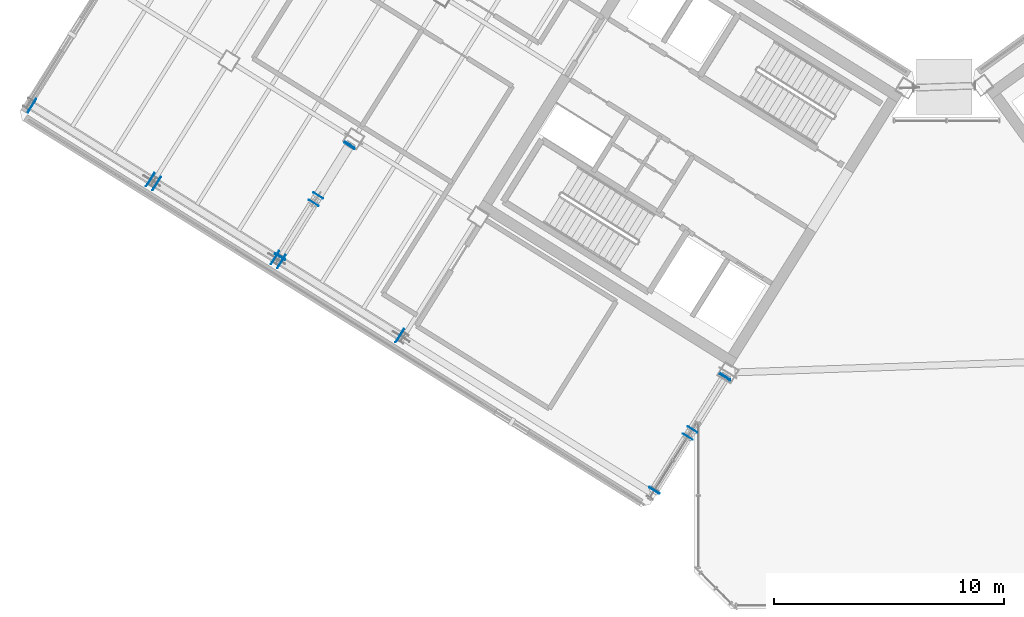
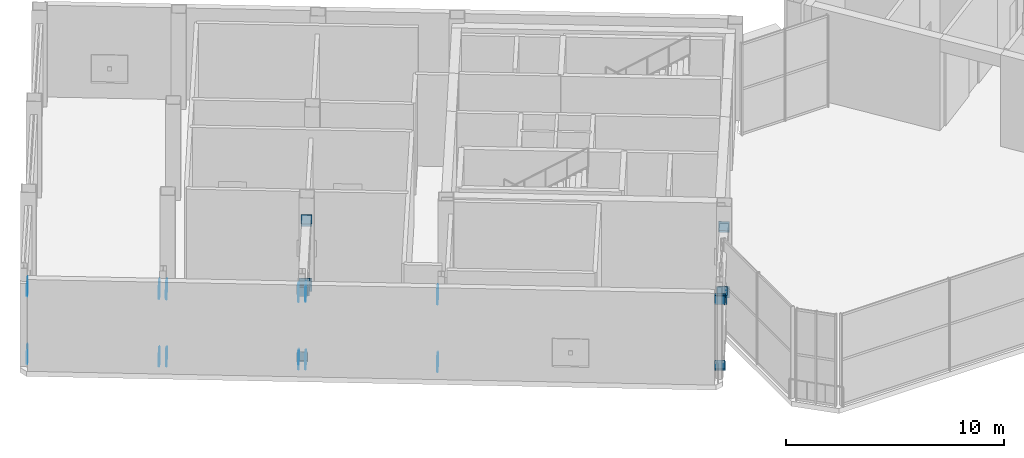
# One storey, part 18 of 32: 38 plates.
"""IFC4 building model written with IfcOpenShell, lengths in metres."""

from ifc_helpers import new_model, si_unit, direction, frame, origin, origin_2d, place, context, subcontext, project, spatial, rectangle, extrude, source, transform, mapped, material, layer, layer_set, type_object, element, save


model = new_model("IFC4")

# Units and contexts
model_context = context("Model", 3, precision=1e-05, world=origin(), true_north=direction((0.0, 1.0)))
body_context = subcontext(model_context, "Body", "Model", "MODEL_VIEW")
ifc_project = project(units=[si_unit("LENGTHUNIT", "METRE"), si_unit("AREAUNIT", "SQUARE_METRE"), si_unit("VOLUMEUNIT", "CUBIC_METRE"), si_unit("PLANEANGLEUNIT", "RADIAN"), si_unit("MASSUNIT", "GRAM", prefix="KILO")], contexts=[model_context])

# Site, building, storey
site_placement = place(None, origin())
site = spatial("IfcSite", under=ifc_project, at=site_placement, CompositionType="ELEMENT")
building_placement = place(site_placement, origin())
building = spatial("IfcBuilding", under=site, at=building_placement, Name="Tlacorven Tower", CompositionType="ELEMENT")
storey_placement = place(building_placement, frame((0.0, 0.0, 245.699951171875)))
storey = spatial("IfcBuildingStorey", under=building, at=storey_placement, Name="L62", CompositionType="ELEMENT", Elevation=245.699951171875)

# Plates
ifc_material = material(Name="Steel S460M", Category="steel")
ifc_layer_1 = layer(ifc_material, 0.02001953125)
ifc_layer_set_1 = layer_set([ifc_layer_1], Name="Steel S460M")
plate_type_1 = type_object("IfcPlateType", Name="PL-CAP-END2", PredefinedType="USERDEFINED", material=ifc_layer_set_1)
shared_shape_1 = source(origin(), body_context, "Body", "SweptSolid", [
    extrude(rectangle(XDim=0.02001953125, YDim=0.514892578125, at=origin_2d()), origin(), (0.0, 0.0, 1.0), 0.514892578125),
])
for number, where, z_axis, x_axis, name in (
    (1, (32.9189453125, 11.88330078125, 0.1923828125), (0.0, 0.0, 1.0), (-0.529919225395, -0.848048120425, 0.0), "L62 hollow end cap plate OUT-L62-W1-B 1"),
    (2, (29.84814453125, 6.968994140625, 0.1923828125), (0.0, 0.0, 1.0), (-0.529919225395, -0.848048120425, 0.0), "L62 hollow end cap plate OUT-L62-W1-B 2"),
    (3, (32.9189453125, 11.88330078125, 3.97265625), (0.0, 0.0, 1.0), (-0.529919225395, -0.848048120425, 0.0), "L62 hollow end cap plate OUT-L62-W1-T 1"),
    (4, (29.84814453125, 6.968994140625, 3.97265625), (0.0, 0.0, 1.0), (-0.529919225395, -0.848048120425, 0.0), "L62 hollow end cap plate OUT-L62-W1-T 2"),
    (5, (16.5703125, 21.951904296875, 0.1923828125), (0.0, 0.0, 1.0), (-0.52991916434, -0.848048158577, 0.0), "L62 hollow end cap plate OUT-L62-W2-B 1"),
    (6, (13.5654296875, 17.143310546875, 0.1923828125), (0.0, 0.0, 1.0), (-0.52991916434, -0.848048158577, 0.0), "L62 hollow end cap plate OUT-L62-W2-B 2"),
    (7, (16.5703125, 21.951904296875, 3.97265625), (0.0, 0.0, 1.0), (-0.52991916434, -0.848048158577, 0.0), "L62 hollow end cap plate OUT-L62-W2-T 1"),
    (8, (13.5654296875, 17.143310546875, 3.97265625), (0.0, 0.0, 1.0), (-0.52991916434, -0.848048158577, 0.0), "L62 hollow end cap plate OUT-L62-W2-T 2"),
):
    element("IfcPlate", number, at=place(storey_placement, frame(where, z_axis=z_axis, x_axis=x_axis)), inside=storey, type_object=plate_type_1, Name=name, ObjectType="END PLATE", PredefinedType="USERDEFINED", context=body_context, shape_type="MappedRepresentation", body=[
        mapped(shared_shape_1, transform((0.0, 0.0, 0.0), scale=1.0)),
    ])
shared_shape_2 = source(origin(), body_context, "Body", "SweptSolid", [
    extrude(rectangle(XDim=0.02001953125, YDim=0.49609375, at=origin_2d()), origin(), (0.0, 0.0, 1.0), 0.49609375),
])
for number, where, z_axis, x_axis, name in (
    (9, (32.9375, 11.9130859375, 0.326904296875), (0.0, 0.0, 1.0), (-0.529919279123, -0.848048086852, 0.0), "L62 hollow end cap plate OUT-L62-W1-D1 1"),
    (10, (29.835205078125, 6.948486328125, 3.89599609375), (0.0, 0.0, 1.0), (-0.529919279123, -0.848048086852, 0.0), "L62 hollow end cap plate OUT-L62-W1-D1 2"),
    (11, (32.9375, 11.9130859375, 3.857177734375), (0.0, 0.0, 1.0), (-0.529918421022, -0.848048623053, 0.0), "L62 hollow end cap plate OUT-L62-W1-D2A 1"),
    (12, (31.5029296875, 9.6171875, 2.20654296875), (0.0, 0.0, 1.0), (-0.529918421022, -0.848048623053, 0.0), "L62 hollow end cap plate OUT-L62-W1-D2A 2"),
    (13, (31.303955078125, 9.298583984375, 1.9775390625), (0.0, 0.0, 1.0), (-0.52992015207, -0.848047541374, 0.0), "L62 hollow end cap plate OUT-L62-W1-D2B 1"),
    (14, (29.835205078125, 6.948486328125, 0.287841796875), (0.0, 0.0, 1.0), (-0.52992015207, -0.848047541374, 0.0), "L62 hollow end cap plate OUT-L62-W1-D2B 2"),
    (15, (16.598388671875, 21.9970703125, 0.39208984375), (0.0, 0.0, 1.0), (-0.529919223086, -0.848048121868, 0.0), "L62 hollow end cap plate OUT-L62-W2-D1 1"),
    (16, (13.552734375, 17.122802734375, 3.89599609375), (0.0, 0.0, 1.0), (-0.529919223086, -0.848048121868, 0.0), "L62 hollow end cap plate OUT-L62-W2-D1 2"),
    (17, (16.598388671875, 21.9970703125, 3.7919921875), (0.0, 0.0, 1.0), (-0.529919921275, -0.848047685591, 0.0), "L62 hollow end cap plate OUT-L62-W2-D2A 1"),
    (18, (15.220458984375, 19.791748046875, 2.20654296875), (0.0, 0.0, 1.0), (-0.529919921275, -0.848047685591, 0.0), "L62 hollow end cap plate OUT-L62-W2-D2A 2"),
    (19, (15.021240234375, 19.47314453125, 1.9775390625), (0.0, 0.0, 1.0), (-0.52991833547, -0.848048676511, 0.0), "L62 hollow end cap plate OUT-L62-W2-D2B 1"),
    (20, (13.552734375, 17.122802734375, 0.287841796875), (0.0, 0.0, 1.0), (-0.52991833547, -0.848048676511, 0.0), "L62 hollow end cap plate OUT-L62-W2-D2B 2"),
):
    element("IfcPlate", number, at=place(storey_placement, frame(where, z_axis=z_axis, x_axis=x_axis)), inside=storey, type_object=plate_type_1, Name=name, ObjectType="END PLATE", PredefinedType="USERDEFINED", context=body_context, shape_type="MappedRepresentation", body=[
        mapped(shared_shape_2, transform((0.0, 0.0, 0.0), scale=1.0)),
    ])
ifc_layer_2 = layer(ifc_material, 0.02392578125)
ifc_layer_set_2 = layer_set([ifc_layer_2], Name="Steel S460M")
plate_type_2 = type_object("IfcPlateType", Name="PL-CAP-END1", PredefinedType="USERDEFINED", material=ifc_layer_set_2)
shared_shape_3 = source(origin(), body_context, "Body", "SweptSolid", [
    extrude(rectangle(XDim=0.02392578125, YDim=0.679931640625, at=origin_2d()), origin(), (0.0, 0.0, 1.0), 0.679931640625),
])
for number, where, z_axis, x_axis, name in (
    (21, (18.765625, 13.699462890625, 0.10986328125), (0.0, 0.0, 1.0), (-0.8480481679, 0.52991914942, 0.0), "L62 hollow end cap plate BLT-L62-W1-B 1"),
    (22, (13.617919921875, 16.916015625, 0.10986328125), (0.0, 0.0, 1.0), (-0.8480481679, 0.52991914942, 0.0), "L62 hollow end cap plate BLT-L62-W1-B 2"),
    (23, (18.765625, 13.699462890625, 3.89013671875), (0.0, 0.0, 1.0), (-0.8480481679, 0.52991914942, 0.0), "L62 hollow end cap plate BLT-L62-W1-T 1"),
    (24, (13.617919921875, 16.916015625, 3.89013671875), (0.0, 0.0, 1.0), (-0.8480481679, 0.52991914942, 0.0), "L62 hollow end cap plate BLT-L62-W1-T 2"),
    (25, (13.338134765625, 17.0908203125, 0.10986328125), (0.0, 0.0, 1.0), (-0.848048093872, 0.529919267889, 0.0), "L62 hollow end cap plate BLT-L62-W2-B 1"),
    (26, (8.1904296875, 20.307373046875, 0.10986328125), (0.0, 0.0, 1.0), (-0.848048093872, 0.529919267889, 0.0), "L62 hollow end cap plate BLT-L62-W2-B 2"),
    (27, (13.338134765625, 17.0908203125, 3.89013671875), (0.0, 0.0, 1.0), (-0.848048093872, 0.529919267889, 0.0), "L62 hollow end cap plate BLT-L62-W2-T 1"),
    (28, (8.1904296875, 20.307373046875, 3.89013671875), (0.0, 0.0, 1.0), (-0.848048093872, 0.529919267889, 0.0), "L62 hollow end cap plate BLT-L62-W2-T 2"),
    (29, (7.91064453125, 20.482421875, 0.10986328125), (0.0, 0.0, 1.0), (-0.8480481679, 0.52991914942, 0.0), "L62 hollow end cap plate BLT-L62-W3-B 1"),
    (30, (2.762939453125, 23.698974609375, 0.10986328125), (0.0, 0.0, 1.0), (-0.8480481679, 0.52991914942, 0.0), "L62 hollow end cap plate BLT-L62-W3-B 2"),
    (31, (7.91064453125, 20.482421875, 3.89013671875), (0.0, 0.0, 1.0), (-0.8480481679, 0.52991914942, 0.0), "L62 hollow end cap plate BLT-L62-W3-T 1"),
    (32, (2.762939453125, 23.698974609375, 3.89013671875), (0.0, 0.0, 1.0), (-0.8480481679, 0.52991914942, 0.0), "L62 hollow end cap plate BLT-L62-W3-T 2"),
):
    element("IfcPlate", number, at=place(storey_placement, frame(where, z_axis=z_axis, x_axis=x_axis)), inside=storey, type_object=plate_type_2, Name=name, ObjectType="END PLATE", PredefinedType="USERDEFINED", context=body_context, shape_type="MappedRepresentation", body=[
        mapped(shared_shape_3, transform((0.0, 0.0, 0.0), scale=1.0)),
    ])
shared_shape_4 = source(origin(), body_context, "Body", "SweptSolid", [
    extrude(rectangle(XDim=0.02392578125, YDim=0.486328125, at=origin_2d()), origin(), (0.0, 0.0, 1.0), 0.486328125),
])
for number, where, z_axis, x_axis, name in (
    (33, (18.7705078125, 13.6962890625, 0.301025390625), (0.0, 0.0, 1.0), (-0.848048018873, 0.529919387912, 0.0), "L62 hollow end cap plate BLT-L62-W1-D1 1"),
    (34, (13.61328125, 16.9189453125, 3.892822265625), (0.0, 0.0, 1.0), (-0.848048018873, 0.529919387912, 0.0), "L62 hollow end cap plate BLT-L62-W1-D1 2"),
    (35, (13.343017578125, 17.087890625, 0.301025390625), (0.0, 0.0, 1.0), (-0.848048092771, 0.52991926965, 0.0), "L62 hollow end cap plate BLT-L62-W2-D1 1"),
    (36, (8.185791015625, 20.310546875, 3.892822265625), (0.0, 0.0, 1.0), (-0.848048092771, 0.52991926965, 0.0), "L62 hollow end cap plate BLT-L62-W2-D1 2"),
    (37, (7.91552734375, 20.479248046875, 0.301025390625), (0.0, 0.0, 1.0), (-0.848048018873, 0.529919387912, 0.0), "L62 hollow end cap plate BLT-L62-W3-D1 1"),
    (38, (2.75830078125, 23.701904296875, 3.892822265625), (0.0, 0.0, 1.0), (-0.848048018873, 0.529919387912, 0.0), "L62 hollow end cap plate BLT-L62-W3-D1 2"),
):
    element("IfcPlate", number, at=place(storey_placement, frame(where, z_axis=z_axis, x_axis=x_axis)), inside=storey, type_object=plate_type_2, Name=name, ObjectType="END PLATE", PredefinedType="USERDEFINED", context=body_context, shape_type="MappedRepresentation", body=[
        mapped(shared_shape_4, transform((0.0, 0.0, 0.0), scale=1.0)),
    ])

save(model, "model.ifc")
